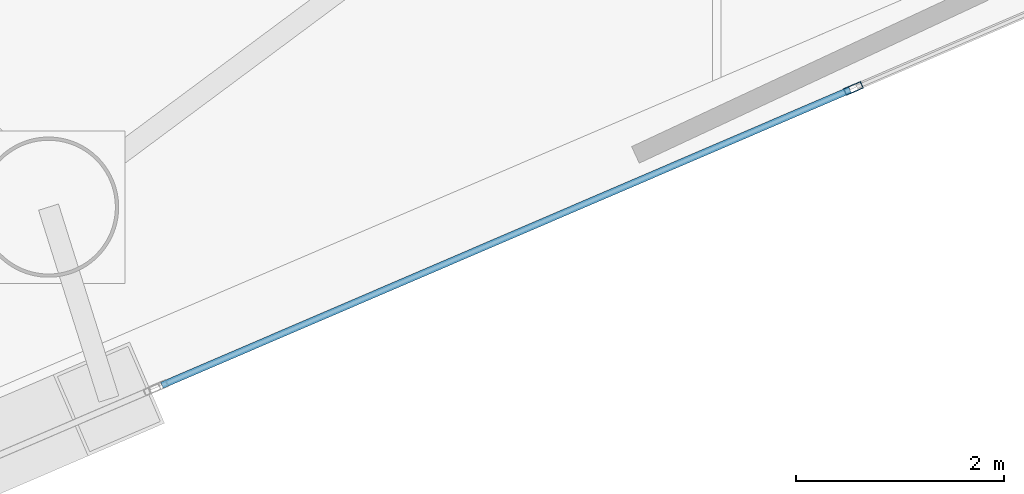
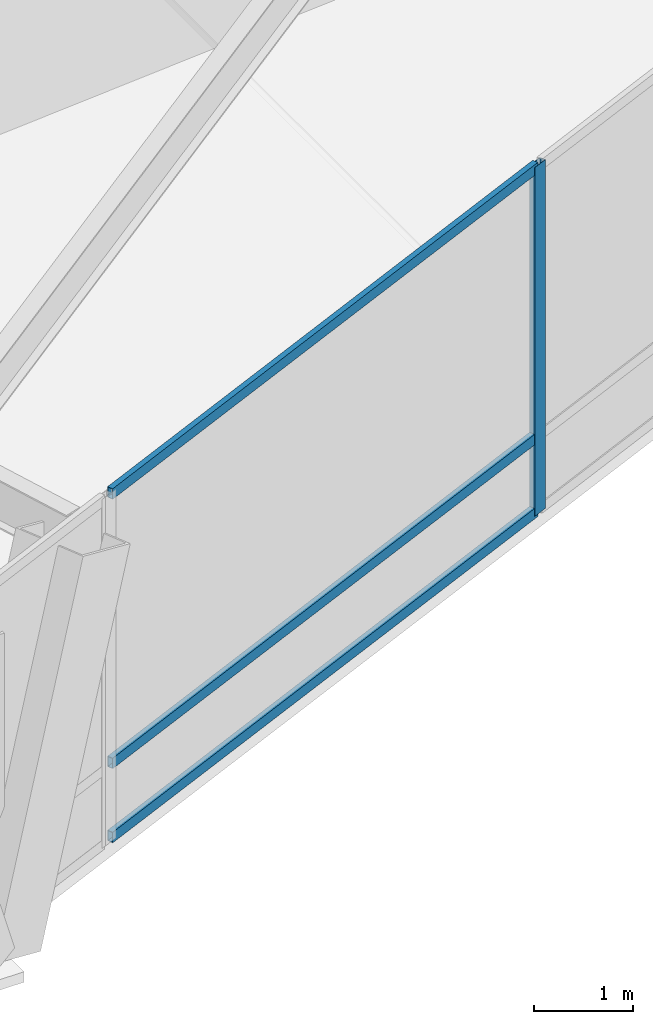
# One storey, part 5 of 21: 4 members, 1 element without a shape of its own.
"""IFC4 building model written with IfcOpenShell, lengths in metres."""

from ifc_helpers import new_model, si_unit, direction, frame, origin, origin_2d, place, context, subcontext, project, spatial, hollow_rectangle, extrude, material, layer, layer_set, material_profile, profile_set, type_object, element, aggregate, save


model = new_model("IFC4")

# Units and contexts
model_context = context("Model", 3, precision=1e-05, world=origin(), true_north=direction((0.0, 1.0)))
body_context = subcontext(model_context, "Body", "Model", "MODEL_VIEW")
ifc_project = project(units=[si_unit("LENGTHUNIT", "METRE"), si_unit("AREAUNIT", "SQUARE_METRE"), si_unit("VOLUMEUNIT", "CUBIC_METRE"), si_unit("PLANEANGLEUNIT", "RADIAN"), si_unit("MASSUNIT", "GRAM", prefix="KILO")], contexts=[model_context])

# Site, building, storey
site_placement = place(None, origin())
site = spatial("IfcSite", under=ifc_project, at=site_placement, CompositionType="ELEMENT")
building_placement = place(site_placement, origin())
building = spatial("IfcBuilding", under=site, at=building_placement, Name="Qianvela Tower", CompositionType="ELEMENT")
storey_placement = place(building_placement, frame((0.0, 0.0, 143.10009765625)))
storey = spatial("IfcBuildingStorey", under=building, at=storey_placement, Name="L36", CompositionType="ELEMENT", Elevation=143.10009765625)

# Curtain wall, members
ifc_material_1 = material(Name="Anodised Architectural Aluminium and Low-E Glass", Category="aluminium")
ifc_layer = layer(ifc_material_1, 0.18994140625)
ifc_layer_set = layer_set([ifc_layer], Name="Anodised Architectural Aluminium and Low-E Glass")
curtain_wall_type = type_object("IfcCurtainWallType", Name="CW-SKYLOBBY", PredefinedType="USERDEFINED", material=ifc_layer_set)
curtain_wall_placement = place(storey_placement, origin())
curtain_wall = element("IfcCurtainWall", 1, at=curtain_wall_placement, inside=storey, type_object=curtain_wall_type, Name="L36 CW-SKYLOBBY Curtain Wall 06C", ObjectType="CURTAIN_WALL_SYSTEM", PredefinedType="USERDEFINED")
ifc_material_2 = material(Name="Anodised Architectural Aluminium 6063-T6", Category="aluminium")
ifc_material_profile_1 = material_profile(ifc_material_2, hollow_rectangle(XDim=0.070068359375, YDim=0.179931640625, WallThickness=0.0048828125, at=origin_2d()), Name="ALU-MULL-70x180")
ifc_profile_set_1 = profile_set([ifc_material_profile_1], Name="Anodised Architectural Aluminium 6063-T6")
member_type_1 = type_object("IfcMemberType", Name="CW-SKYLOBBY-MULL", PredefinedType="MULLION", material=ifc_profile_set_1)
member_1_placement = place(storey_placement, frame((51.27001953125, 18.42138671875, 0.0), z_axis=(0.0, 0.0, 1.0), x_axis=(-0.394471376508, 0.918908228887, 0.0)))
member_1 = element("IfcMember", 2, at=member_1_placement, type_object=member_type_1, Name="CW-7 mullion 2", PredefinedType="MULLION", context=body_context, shape_type="SweptSolid", body=[
    extrude(hollow_rectangle(XDim=0.070068359375, YDim=0.179931640625, WallThickness=0.0048828125, at=origin_2d()), origin(), (0.0, 0.0, 1.0), 4.31982421875),
])
ifc_material_3 = material(Name="Anodised Architectural Aluminium 6063-T6", Category="aluminium")
ifc_material_profile_2 = material_profile(ifc_material_3, hollow_rectangle(XDim=0.06494140625, YDim=0.1298828125, WallThickness=0.00439453125, at=origin_2d()), Name="ALU-TRAN-65x130")
ifc_profile_set_2 = profile_set([ifc_material_profile_2], Name="Anodised Architectural Aluminium 6063-T6")
member_type_2 = type_object("IfcMemberType", Name="CW-SKYLOBBY-TRAN", PredefinedType="USERDEFINED", material=ifc_profile_set_2)
member_2_placement = place(storey_placement, frame((44.61572265625, 15.564697265625, 0.032470703125), z_axis=(0.91890654769, 0.394475292778, 0.0), x_axis=(-0.394475292778, 0.91890654769, 0.0)))
member_2 = element("IfcMember", 3, at=member_2_placement, type_object=member_type_2, Name="CW-7 transom 1.1", ObjectType="TRANSOM", PredefinedType="USERDEFINED", context=body_context, shape_type="SweptSolid", body=[
    extrude(hollow_rectangle(XDim=0.06494140625, YDim=0.1298828125, WallThickness=0.00439453125, at=origin_2d()), origin(), (0.0, 0.0, 1.0), 7.20654296875),
])
member_3_placement = place(storey_placement, frame((44.61572265625, 15.564697265625, 0.949951171875), z_axis=(0.91890654769, 0.394475292778, 0.0), x_axis=(-0.394475292778, 0.91890654769, 0.0)))
member_3 = element("IfcMember", 4, at=member_3_placement, type_object=member_type_2, Name="CW-7 transom 1.2", ObjectType="TRANSOM", PredefinedType="USERDEFINED", context=body_context, shape_type="SweptSolid", body=[
    extrude(hollow_rectangle(XDim=0.06494140625, YDim=0.1298828125, WallThickness=0.00439453125, at=origin_2d()), origin(), (0.0, 0.0, 1.0), 7.20654296875),
])
member_4_placement = place(storey_placement, frame((44.61572265625, 15.564697265625, 4.287353515625), z_axis=(0.91890654769, 0.394475292778, 0.0), x_axis=(-0.394475292778, 0.91890654769, 0.0)))
member_4 = element("IfcMember", 5, at=member_4_placement, type_object=member_type_2, Name="CW-7 transom 1.3", ObjectType="TRANSOM", PredefinedType="USERDEFINED", context=body_context, shape_type="SweptSolid", body=[
    extrude(hollow_rectangle(XDim=0.06494140625, YDim=0.1298828125, WallThickness=0.00439453125, at=origin_2d()), origin(), (0.0, 0.0, 1.0), 7.20654296875),
])
aggregate(curtain_wall, [member_1, member_2, member_3, member_4])

save(model, "model.ifc")
